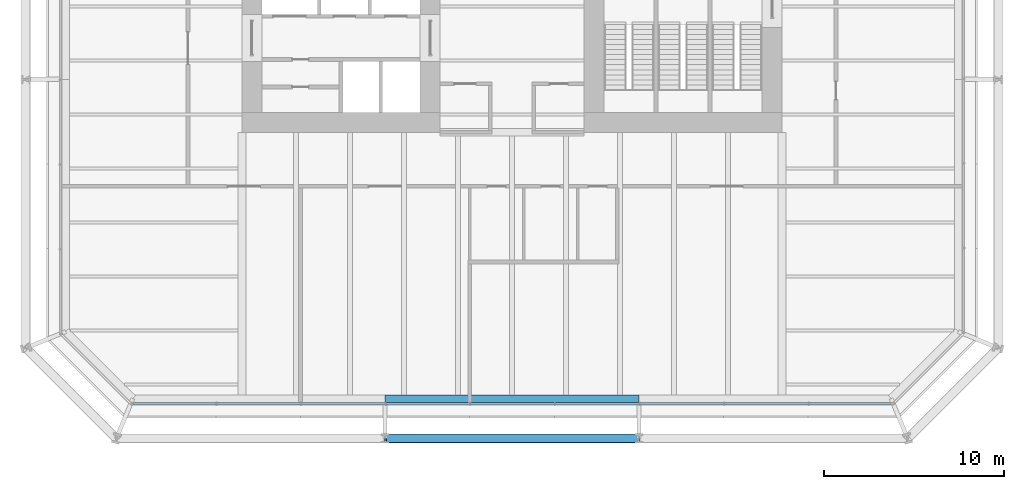
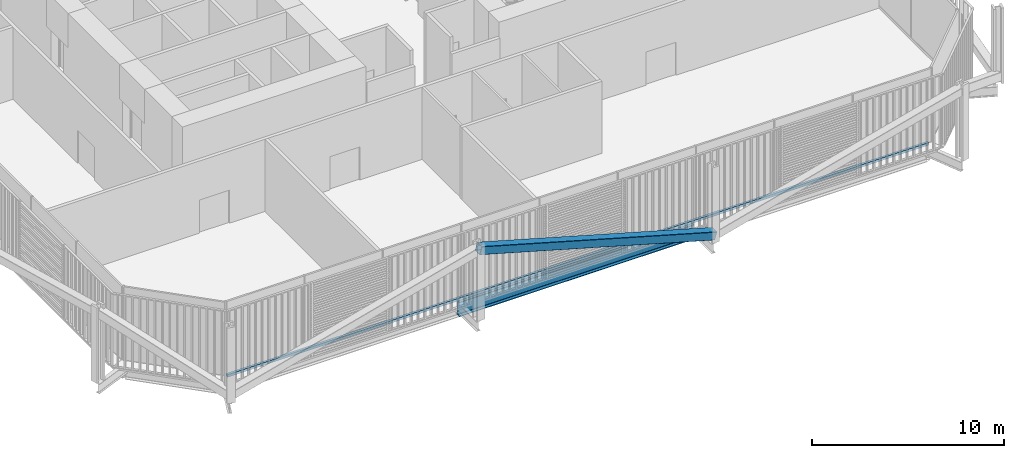
# One storey, part 3 of 22: 2 members, 1 beam, 1 element without a shape of its own.
"""IFC4 building model written with IfcOpenShell, lengths in metres."""

from ifc_helpers import new_model, si_unit, direction, frame, origin, origin_2d, place, context, subcontext, project, spatial, rectangle, hollow_rectangle, i_section, extrude, material, layer, layer_set, material_profile, profile_set, type_object, element, aggregate, save


model = new_model("IFC4")

# Units and contexts
model_context = context("Model", 3, precision=1e-05, world=origin(), true_north=direction((0.0, 1.0)))
body_context = subcontext(model_context, "Body", "Model", "MODEL_VIEW")
ifc_project = project(units=[si_unit("LENGTHUNIT", "METRE"), si_unit("AREAUNIT", "SQUARE_METRE"), si_unit("VOLUMEUNIT", "CUBIC_METRE"), si_unit("PLANEANGLEUNIT", "RADIAN"), si_unit("MASSUNIT", "GRAM", prefix="KILO")], contexts=[model_context])

# Site, building, storey
site_placement = place(None, origin())
site = spatial("IfcSite", under=ifc_project, at=site_placement, CompositionType="ELEMENT")
building_placement = place(site_placement, origin())
building = spatial("IfcBuilding", under=site, at=building_placement, Name="Millrace Tower", CompositionType="ELEMENT")
storey_placement = place(building_placement, frame((0.0, 0.0, 30.5)))
storey = spatial("IfcBuildingStorey", under=building, at=storey_placement, Name="L07", CompositionType="ELEMENT", Elevation=30.5)

# Curtain wall, member
ifc_material_1 = material(Name="Aluminium and glass", Category="aluminium")
ifc_layer = layer(ifc_material_1, 0.14990234375)
ifc_layer_set = layer_set([ifc_layer], Name="Aluminium and glass")
curtain_wall_type = type_object("IfcCurtainWallType", Name="CW-2 data hall insulated curtain wall", PredefinedType="NOTDEFINED", material=ifc_layer_set)
curtain_wall_placement = place(storey_placement, origin())
curtain_wall = element("IfcCurtainWall", 1, at=curtain_wall_placement, inside=storey, type_object=curtain_wall_type, Name="Curtain wall A-F02 L07", PredefinedType="NOTDEFINED")
ifc_material_2 = material(Name="Aluminium", Category="aluminium")
ifc_material_profile_1 = material_profile(ifc_material_2, rectangle(XDim=0.14990234375, YDim=0.159912109375, at=origin_2d()))
ifc_profile_set_1 = profile_set([ifc_material_profile_1], Name="Aluminium")
member_type_1 = type_object("IfcMemberType", Name="CW-2 data hall insulated curtain wall transom", PredefinedType="USERDEFINED", material=ifc_profile_set_1)
member_1_placement = place(storey_placement, frame((-21.050048828125, -25.074951171875, 0.080078125), z_axis=(1.0, 0.0, 0.0), x_axis=(0.0, 1.0, 0.0)))
member_1 = element("IfcMember", 2, at=member_1_placement, type_object=member_type_1, Name="CW2 transom A-F02.1", ObjectType="TRANSOM", PredefinedType="USERDEFINED", context=body_context, shape_type="SweptSolid", body=[
    extrude(rectangle(XDim=0.14990234375, YDim=0.159912109375, at=origin_2d()), origin(), (0.0, 0.0, 1.0), 42.10009765625),
])
aggregate(curtain_wall, [member_1])

# Member
ifc_material_3 = material(Name="Steel ASTM A500 Grade C", Category="steel")
ifc_material_profile_2 = material_profile(ifc_material_3, hollow_rectangle(XDim=0.508056640625, YDim=0.508056640625, WallThickness=0.022216796875, InnerFilletRadius=0.01123046875, OuterFilletRadius=0.033447265625, at=origin_2d()))
ifc_profile_set_2 = profile_set([ifc_material_profile_2], Name="Steel ASTM A500 Grade C")
member_type_2 = type_object("IfcMemberType", Name="Exoskeleton brace HSS20x20x7/8", PredefinedType="BRACE", material=ifc_profile_set_2)
member_2_placement = place(storey_placement, frame((7.050048828125, -27.0, 0.39990234375), z_axis=(-0.962037695102, 0.0, 0.272916604851), x_axis=(0.0, -1.0, 0.0)))
element("IfcMember", 3, at=member_2_placement, inside=storey, type_object=member_type_2, Name="BRC-A-L07-03", PredefinedType="BRACE", context=body_context, shape_type="SweptSolid", body=[
    extrude(hollow_rectangle(XDim=0.508056640625, YDim=0.508056640625, WallThickness=0.022216796875, InnerFilletRadius=0.01123046875, OuterFilletRadius=0.033447265625, at=origin_2d()), origin(), (0.0, 0.0, 1.0), 14.656494140625),
])

# Beam
ifc_material_4 = material(Name="Steel ASTM A992 Grade 50", Category="steel")
ifc_material_profile_3 = material_profile(ifc_material_4, i_section(OverallWidth=0.421630859375, OverallDepth=0.937255859375, WebThickness=0.021240234375, FlangeThickness=0.03662109375, FilletRadius=0.024169921875, at=origin_2d()))
ifc_profile_set_3 = profile_set([ifc_material_profile_3], Name="Steel ASTM A992 Grade 50")
beam_type = type_object("IfcBeamType", Name="Ring beam medium span W36x262", PredefinedType="SPANDREL", material=ifc_profile_set_3)
beam_placement = place(storey_placement, frame((7.050048828125, -24.7890625, -0.693603515625), z_axis=(-1.0, 0.0, 0.0), x_axis=(0.0, -1.0, 0.0)))
element("IfcBeam", 4, at=beam_placement, inside=storey, type_object=beam_type, Name="RNG-A-L07-S1-14", PredefinedType="SPANDREL", context=body_context, shape_type="SweptSolid", body=[
    extrude(i_section(OverallWidth=0.421630859375, OverallDepth=0.937255859375, WebThickness=0.021240234375, FlangeThickness=0.03662109375, FilletRadius=0.024169921875, at=origin_2d()), origin(), (0.0, 0.0, 1.0), 14.10009765625),
])

save(model, "model.ifc")
